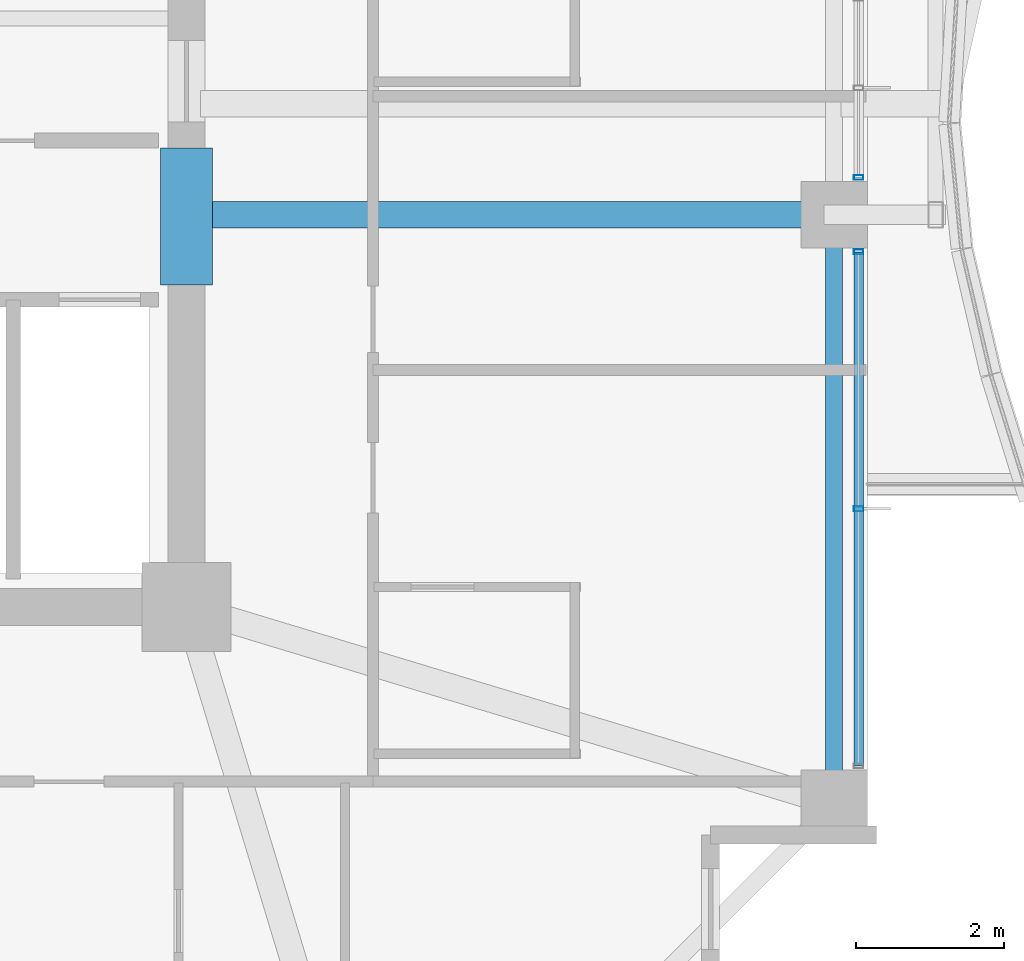
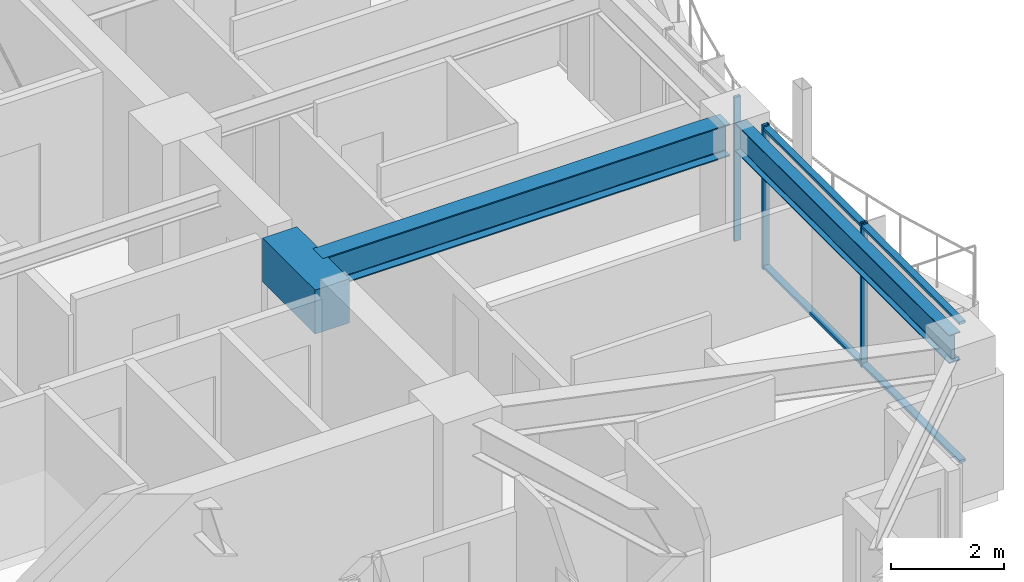
# One storey, part 15 of 37: 5 members, 3 beams, 2 elements without a shape of their own.
"""IFC4 building model written with IfcOpenShell, lengths in metres."""

from ifc_helpers import new_model, si_unit, direction, frame, origin, origin_2d, place, context, subcontext, project, spatial, rectangle, hollow_rectangle, i_section, extrude, material, material_profile, profile_set, type_object, element, aggregate, save


model = new_model("IFC4")

# Units and contexts
model_context = context("Model", 3, precision=1e-05, world=origin(), true_north=direction((0.0, 1.0)))
body_context = subcontext(model_context, "Body", "Model", "MODEL_VIEW")
ifc_project = project(units=[si_unit("LENGTHUNIT", "METRE"), si_unit("AREAUNIT", "SQUARE_METRE"), si_unit("VOLUMEUNIT", "CUBIC_METRE"), si_unit("PLANEANGLEUNIT", "RADIAN"), si_unit("MASSUNIT", "GRAM", prefix="KILO")], contexts=[model_context])

# Site, building, storey
site_placement = place(None, origin())
site = spatial("IfcSite", under=ifc_project, at=site_placement, CompositionType="ELEMENT")
building_placement = place(site_placement, origin())
building = spatial("IfcBuilding", under=site, at=building_placement, Name="Kolvaren Belvedere", CompositionType="ELEMENT")
storey_placement = place(building_placement, frame((0.0, 0.0, 156.89990234375)))
storey = spatial("IfcBuildingStorey", under=building, at=storey_placement, Name="L45", CompositionType="ELEMENT", Elevation=156.89990234375)

# Beams
ifc_material_1 = material(Name="Structural steel ASTM A992 Grade 50", Category="steel")
ifc_material_profile_1 = material_profile(ifc_material_1, i_section(OverallWidth=0.35498046875, OverallDepth=0.696044921875, WebThickness=0.015380859375, FlangeThickness=0.02490234375, FilletRadius=0.02197265625, at=origin_2d()), Name="W27X146")
ifc_profile_set_1 = profile_set([ifc_material_profile_1], Name="Structural steel ASTM A992 Grade 50")
beam_type_1 = type_object("IfcBeamType", Name="BM-GIRD-W27X146", PredefinedType="BEAM", material=ifc_profile_set_1)
beam_1_placement = place(storey_placement, frame((10.14990234375, -4.60009765625, 2.752197265625), z_axis=(1.0, 0.0, 0.0), x_axis=(0.0, 1.0, 0.0)))
element("IfcBeam", 1, at=beam_1_placement, inside=storey, type_object=beam_type_1, Name="L45 East Radial Girder M", PredefinedType="BEAM", context=body_context, shape_type="SweptSolid", body=[
    extrude(i_section(OverallWidth=0.35498046875, OverallDepth=0.696044921875, WebThickness=0.015380859375, FlangeThickness=0.02490234375, FilletRadius=0.02197265625, at=origin_2d()), origin(), (0.0, 0.0, 1.0), 8.297607421875),
])
ifc_material_2 = material(Name="Concrete C60/75", Category="concrete")
ifc_material_profile_2 = material_profile(ifc_material_2, rectangle(XDim=0.699951171875, YDim=0.949951171875, at=origin_2d()), Name="RC 700X950")
ifc_profile_set_2 = profile_set([ifc_material_profile_2], Name="Concrete C60/75")
beam_type_2 = type_object("IfcBeamType", Name="BM-LINT-950", PredefinedType="LINTEL", material=ifc_profile_set_2)
beam_2_placement = place(storey_placement, frame((9.89990234375, -5.550048828125, 2.625), z_axis=(0.0, 1.0, 0.0), x_axis=(-1.0, 0.0, 0.0)))
element("IfcBeam", 2, at=beam_2_placement, inside=storey, type_object=beam_type_2, Name="L45 East Core Coupling Lintel", PredefinedType="LINTEL", context=body_context, shape_type="SweptSolid", body=[
    extrude(rectangle(XDim=0.699951171875, YDim=0.949951171875, at=origin_2d()), origin(), (0.0, 0.0, 1.0), 1.85009765625),
])
ifc_material_3 = material(Name="Structural steel ASTM A992 Grade 50", Category="steel")
ifc_material_profile_3 = material_profile(ifc_material_3, i_section(OverallWidth=0.22900390625, OverallDepth=0.612060546875, WebThickness=0.011962890625, FlangeThickness=0.01953125, FilletRadius=0.01806640625, at=origin_2d()), Name="W24X84")
ifc_profile_set_3 = profile_set([ifc_material_profile_3], Name="Structural steel ASTM A992 Grade 50")
beam_type_3 = type_object("IfcBeamType", Name="BM-SPAN-W24X84", PredefinedType="SPANDREL", material=ifc_profile_set_3)
beam_3_placement = place(storey_placement, frame((18.64990234375, -12.347412109375, 2.794189453125), z_axis=(0.0, 1.0, 0.0), x_axis=(-1.0, 0.0, 0.0)))
element("IfcBeam", 3, at=beam_3_placement, inside=storey, type_object=beam_type_3, Name="L45 Perimeter Spandrel E1-E2", PredefinedType="SPANDREL", context=body_context, shape_type="SweptSolid", body=[
    extrude(i_section(OverallWidth=0.22900390625, OverallDepth=0.612060546875, WebThickness=0.011962890625, FlangeThickness=0.01953125, FilletRadius=0.01806640625, at=origin_2d()), origin(), (0.0, 0.0, 1.0), 7.544921875),
])

# Curtain wall, member
ifc_material_4 = material(Name="Anodised pale-metal aluminium AA 6063-T6", Category="aluminium")
curtain_wall_type = type_object("IfcCurtainWallType", Name="CW-Z3-WAIST", PredefinedType="NOTDEFINED", material=ifc_material_4)
curtain_wall_1_placement = place(storey_placement, origin())
curtain_wall_1 = element("IfcCurtainWall", 4, at=curtain_wall_1_placement, inside=storey, type_object=curtain_wall_type, Name="L45 Unitised Curtain Wall FCW-L45-E2-B1", PredefinedType="NOTDEFINED")
ifc_material_5 = material(Name="Anodised pale-metal aluminium AA 6063-T6", Category="aluminium")
ifc_material_profile_4 = material_profile(ifc_material_5, hollow_rectangle(XDim=0.06494140625, YDim=0.1298828125, WallThickness=0.00390625, at=origin_2d()), Name="ALU-MUL-130X65")
ifc_profile_set_4 = profile_set([ifc_material_profile_4], Name="Anodised pale-metal aluminium AA 6063-T6")
member_type_1 = type_object("IfcMemberType", Name="CW-MUL-130", PredefinedType="MULLION", material=ifc_profile_set_4)
member_1_placement = place(storey_placement, frame((18.97998046875, -4.097412109375, 0.0), z_axis=(0.0, 0.0, 1.0), x_axis=(0.0, 1.0, 0.0)))
member_1 = element("IfcMember", 5, at=member_1_placement, type_object=member_type_1, Name="FCW-L45-E2-B1 Unitised Mullion 3", PredefinedType="MULLION", context=body_context, shape_type="SweptSolid", body=[
    extrude(hollow_rectangle(XDim=0.06494140625, YDim=0.1298828125, WallThickness=0.00390625, at=origin_2d()), origin(), (0.0, 0.0, 1.0), 3.10009765625),
])
aggregate(curtain_wall_1, [member_1])

# Curtain wall, members
curtain_wall_2_placement = place(storey_placement, origin())
curtain_wall_2 = element("IfcCurtainWall", 6, at=curtain_wall_2_placement, inside=storey, type_object=curtain_wall_type, Name="L45 Unitised Curtain Wall FCW-L45-E2-B2", PredefinedType="NOTDEFINED")
member_2_placement = place(storey_placement, frame((18.97998046875, -5.1025390625, 0.0), z_axis=(0.0, 0.0, 1.0), x_axis=(0.0, 1.0, 0.0)))
member_2 = element("IfcMember", 7, at=member_2_placement, type_object=member_type_1, Name="FCW-L45-E2-B2 Unitised Mullion 1", PredefinedType="MULLION", context=body_context, shape_type="SweptSolid", body=[
    extrude(hollow_rectangle(XDim=0.06494140625, YDim=0.1298828125, WallThickness=0.00390625, at=origin_2d()), origin(), (0.0, 0.0, 1.0), 3.10009765625),
])
member_3_placement = place(storey_placement, frame((18.97998046875, -8.574951171875, 0.0), z_axis=(0.0, 0.0, 1.0), x_axis=(0.0, 1.0, 0.0)))
member_3 = element("IfcMember", 8, at=member_3_placement, type_object=member_type_1, Name="FCW-L45-E2-B2 Unitised Mullion 2", PredefinedType="MULLION", context=body_context, shape_type="SweptSolid", body=[
    extrude(hollow_rectangle(XDim=0.06494140625, YDim=0.1298828125, WallThickness=0.00390625, at=origin_2d()), origin(), (0.0, 0.0, 1.0), 3.10009765625),
])
ifc_material_6 = material(Name="Anodised pale-metal aluminium AA 6063-T6", Category="aluminium")
ifc_material_profile_5 = material_profile(ifc_material_6, hollow_rectangle(XDim=0.06005859375, YDim=0.1298828125, WallThickness=0.00390625, at=origin_2d()), Name="ALU-TRN-130X60")
ifc_profile_set_5 = profile_set([ifc_material_profile_5], Name="Anodised pale-metal aluminium AA 6063-T6")
member_type_2 = type_object("IfcMemberType", Name="CW-TRN-130", PredefinedType="USERDEFINED", material=ifc_profile_set_5)
member_4_placement = place(storey_placement, frame((18.97998046875, -5.1025390625, 0.06005859375), z_axis=(0.0, -1.0, 0.0), x_axis=(0.0, 0.0, 1.0)))
member_4 = element("IfcMember", 9, at=member_4_placement, type_object=member_type_2, Name="FCW-L45-E2-B2 Sill Transom", ObjectType="TRANSOM", PredefinedType="USERDEFINED", context=body_context, shape_type="SweptSolid", body=[
    extrude(hollow_rectangle(XDim=0.06005859375, YDim=0.1298828125, WallThickness=0.00390625, at=origin_2d()), origin(), (0.0, 0.0, 1.0), 6.945068359375),
])
member_5_placement = place(storey_placement, frame((18.97998046875, -5.1025390625, 3.0400390625), z_axis=(0.0, -1.0, 0.0), x_axis=(0.0, 0.0, 1.0)))
member_5 = element("IfcMember", 10, at=member_5_placement, type_object=member_type_2, Name="FCW-L45-E2-B2 Head Transom", ObjectType="TRANSOM", PredefinedType="USERDEFINED", context=body_context, shape_type="SweptSolid", body=[
    extrude(hollow_rectangle(XDim=0.06005859375, YDim=0.1298828125, WallThickness=0.00390625, at=origin_2d()), origin(), (0.0, 0.0, 1.0), 6.945068359375),
])
aggregate(curtain_wall_2, [member_2, member_3, member_4, member_5])

save(model, "model.ifc")
